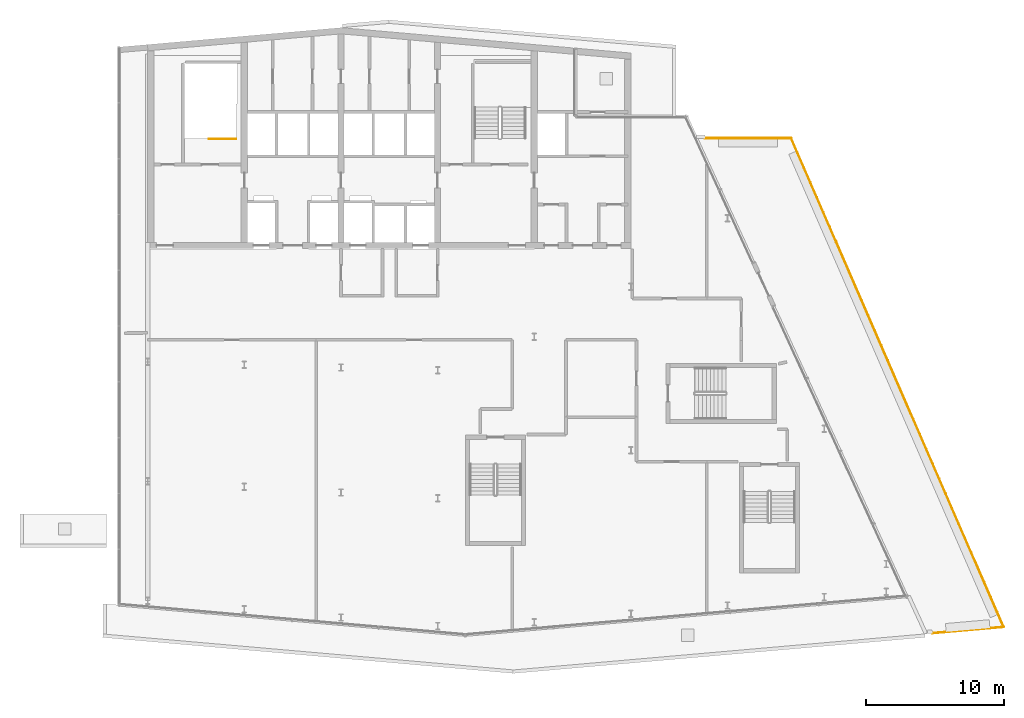
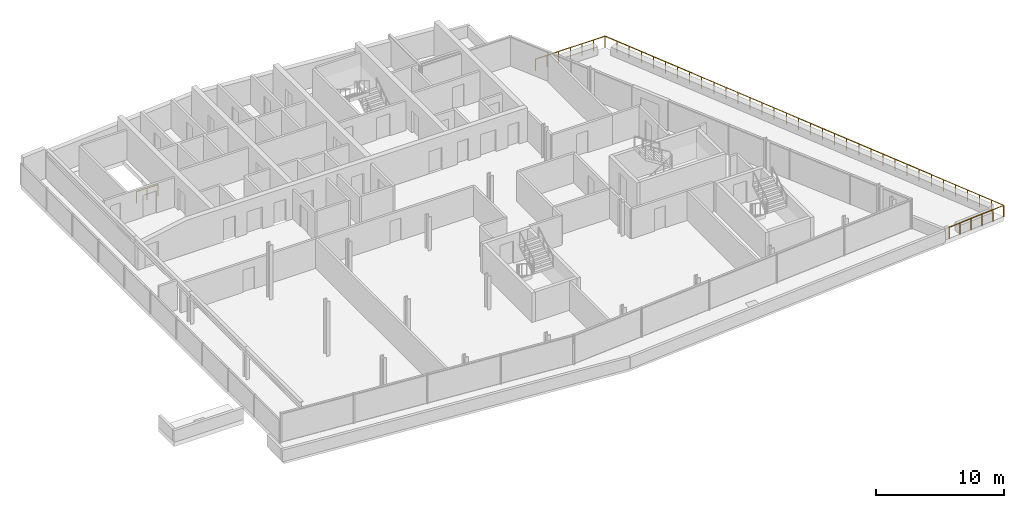
# One storey, part 16 of 17: 2 railings.
"""IFC4 building model written with IfcOpenShell, lengths in metres."""

from ifc_helpers import new_model, si_unit, direction, frame, origin, origin_2d, place, context, subcontext, project, spatial, circle, extrude, material, type_object, element, save


model = new_model("IFC4")

# Units and contexts
model_context = context("Model", 3, precision=1e-05, world=origin(), true_north=direction((0.0, 1.0)))
body_context = subcontext(model_context, "Body", "Model", "MODEL_VIEW")
ifc_project = project(units=[si_unit("LENGTHUNIT", "METRE"), si_unit("AREAUNIT", "SQUARE_METRE"), si_unit("VOLUMEUNIT", "CUBIC_METRE"), si_unit("PLANEANGLEUNIT", "RADIAN"), si_unit("MASSUNIT", "GRAM", prefix="KILO")], contexts=[model_context])

# Site, building, storey
site_placement = place(None, origin())
site = spatial("IfcSite", under=ifc_project, at=site_placement, CompositionType="ELEMENT")
building_placement = place(site_placement, origin())
building = spatial("IfcBuilding", under=site, at=building_placement, Name="Wharfspan Tower", CompositionType="ELEMENT")
storey_placement = place(building_placement, frame((0.0, 0.0, 261.100098)))
storey = spatial("IfcBuildingStorey", under=building, at=storey_placement, Name="L66", CompositionType="ELEMENT", Elevation=261.100098)

# Railings
ifc_material = material(Name="Steel S355J2", Category="steel")
railing_type_1 = type_object("IfcRailingType", Name="GUARD 1100 STEEL AND GLASS", PredefinedType="GUARDRAIL", material=ifc_material)
railing_1_placement = place(storey_placement, frame((63.35498, 42.0, 0.0)))
element("IfcRailing", 1, at=railing_1_placement, inside=storey, type_object=railing_type_1, Name="Terrace guard T4E", PredefinedType="GUARDRAIL", context=body_context, shape_type="SweptSolid", body=[
    extrude(circle(Radius=0.024902, at=origin_2d()), frame((0.0, 0.0, 1.075195), z_axis=(1.0, 0.0, 0.0), x_axis=(0.0, 1.0, 0.0)), (0.0, 0.0, 1.0), 6.253662),
    extrude(circle(Radius=0.024902, at=origin_2d()), frame((6.253662, 0.0, 1.075195), z_axis=(0.398728, -0.917069, 0.0), x_axis=(0.917069, 0.398728, 0.0)), (0.0, 0.0, 1.0), 38.601074),
    extrude(circle(Radius=0.024902, at=origin_2d()), frame((21.64502, -35.399902, 1.075195), z_axis=(-0.996192, -0.087187, 0.0), x_axis=(0.087187, -0.996192, 0.0)), (0.0, 0.0, 1.0), 5.18042),
    extrude(circle(Radius=0.02002, at=origin_2d()), origin(), (0.0, 0.0, 1.0), 1.050049),
    extrude(circle(Radius=0.02002, at=origin_2d()), frame((1.042236, 0.0, 0.0)), (0.0, 0.0, 1.0), 1.050049),
    extrude(circle(Radius=0.02002, at=origin_2d()), frame((2.084473, 0.0, 0.0)), (0.0, 0.0, 1.0), 1.050049),
    extrude(circle(Radius=0.02002, at=origin_2d()), frame((3.126953, 0.0, 0.0)), (0.0, 0.0, 1.0), 1.050049),
    extrude(circle(Radius=0.02002, at=origin_2d()), frame((4.169189, 0.0, 0.0)), (0.0, 0.0, 1.0), 1.050049),
    extrude(circle(Radius=0.02002, at=origin_2d()), frame((5.211426, 0.0, 0.0)), (0.0, 0.0, 1.0), 1.050049),
    extrude(circle(Radius=0.02002, at=origin_2d()), frame((6.253662, 0.0, 0.0)), (0.0, 0.0, 1.0), 1.050049),
    extrude(circle(Radius=0.02002, at=origin_2d()), frame((6.719971, -1.072754, 0.0)), (0.0, 0.0, 1.0), 1.050049),
    extrude(circle(Radius=0.02002, at=origin_2d()), frame((7.186523, -2.145508, 0.0)), (0.0, 0.0, 1.0), 1.050049),
    extrude(circle(Radius=0.02002, at=origin_2d()), frame((7.652832, -3.218262, 0.0)), (0.0, 0.0, 1.0), 1.050049),
    extrude(circle(Radius=0.02002, at=origin_2d()), frame((8.119385, -4.291016, 0.0)), (0.0, 0.0, 1.0), 1.050049),
    extrude(circle(Radius=0.02002, at=origin_2d()), frame((8.585693, -5.363525, 0.0)), (0.0, 0.0, 1.0), 1.050049),
    extrude(circle(Radius=0.02002, at=origin_2d()), frame((9.052002, -6.436279, 0.0)), (0.0, 0.0, 1.0), 1.050049),
    extrude(circle(Radius=0.02002, at=origin_2d()), frame((9.518555, -7.509033, 0.0)), (0.0, 0.0, 1.0), 1.050049),
    extrude(circle(Radius=0.02002, at=origin_2d()), frame((9.984863, -8.581787, 0.0)), (0.0, 0.0, 1.0), 1.050049),
    extrude(circle(Radius=0.02002, at=origin_2d()), frame((10.451416, -9.654541, 0.0)), (0.0, 0.0, 1.0), 1.050049),
    extrude(circle(Radius=0.02002, at=origin_2d()), frame((10.917725, -10.727295, 0.0)), (0.0, 0.0, 1.0), 1.050049),
    extrude(circle(Radius=0.02002, at=origin_2d()), frame((11.384033, -11.800049, 0.0)), (0.0, 0.0, 1.0), 1.050049),
    extrude(circle(Radius=0.02002, at=origin_2d()), frame((11.850586, -12.872803, 0.0)), (0.0, 0.0, 1.0), 1.050049),
    extrude(circle(Radius=0.02002, at=origin_2d()), frame((12.316895, -13.945312, 0.0)), (0.0, 0.0, 1.0), 1.050049),
    extrude(circle(Radius=0.02002, at=origin_2d()), frame((12.783447, -15.018066, 0.0)), (0.0, 0.0, 1.0), 1.050049),
    extrude(circle(Radius=0.02002, at=origin_2d()), frame((13.249756, -16.09082, 0.0)), (0.0, 0.0, 1.0), 1.050049),
    extrude(circle(Radius=0.02002, at=origin_2d()), frame((13.716064, -17.163574, 0.0)), (0.0, 0.0, 1.0), 1.050049),
    extrude(circle(Radius=0.02002, at=origin_2d()), frame((14.182617, -18.236328, 0.0)), (0.0, 0.0, 1.0), 1.050049),
    extrude(circle(Radius=0.02002, at=origin_2d()), frame((14.648926, -19.309082, 0.0)), (0.0, 0.0, 1.0), 1.050049),
    extrude(circle(Radius=0.02002, at=origin_2d()), frame((15.115234, -20.381836, 0.0)), (0.0, 0.0, 1.0), 1.050049),
    extrude(circle(Radius=0.02002, at=origin_2d()), frame((15.581787, -21.45459, 0.0)), (0.0, 0.0, 1.0), 1.050049),
    extrude(circle(Radius=0.02002, at=origin_2d()), frame((16.048096, -22.5271, 0.0)), (0.0, 0.0, 1.0), 1.050049),
    extrude(circle(Radius=0.02002, at=origin_2d()), frame((16.514648, -23.599854, 0.0)), (0.0, 0.0, 1.0), 1.050049),
    extrude(circle(Radius=0.02002, at=origin_2d()), frame((16.980957, -24.672607, 0.0)), (0.0, 0.0, 1.0), 1.050049),
    extrude(circle(Radius=0.02002, at=origin_2d()), frame((17.447266, -25.745361, 0.0)), (0.0, 0.0, 1.0), 1.050049),
    extrude(circle(Radius=0.02002, at=origin_2d()), frame((17.913818, -26.818115, 0.0)), (0.0, 0.0, 1.0), 1.050049),
    extrude(circle(Radius=0.02002, at=origin_2d()), frame((18.380127, -27.890869, 0.0)), (0.0, 0.0, 1.0), 1.050049),
    extrude(circle(Radius=0.02002, at=origin_2d()), frame((18.84668, -28.963623, 0.0)), (0.0, 0.0, 1.0), 1.050049),
    extrude(circle(Radius=0.02002, at=origin_2d()), frame((19.312988, -30.036377, 0.0)), (0.0, 0.0, 1.0), 1.050049),
    extrude(circle(Radius=0.02002, at=origin_2d()), frame((19.779297, -31.108887, 0.0)), (0.0, 0.0, 1.0), 1.050049),
    extrude(circle(Radius=0.02002, at=origin_2d()), frame((20.24585, -32.181641, 0.0)), (0.0, 0.0, 1.0), 1.050049),
    extrude(circle(Radius=0.02002, at=origin_2d()), frame((20.712158, -33.254395, 0.0)), (0.0, 0.0, 1.0), 1.050049),
    extrude(circle(Radius=0.02002, at=origin_2d()), frame((21.178711, -34.327148, 0.0)), (0.0, 0.0, 1.0), 1.050049),
    extrude(circle(Radius=0.02002, at=origin_2d()), frame((21.64502, -35.399902, 0.0)), (0.0, 0.0, 1.0), 1.050049),
    extrude(circle(Radius=0.02002, at=origin_2d()), frame((20.612793, -35.490234, 0.0)), (0.0, 0.0, 1.0), 1.050049),
    extrude(circle(Radius=0.02002, at=origin_2d()), frame((19.580811, -35.580566, 0.0)), (0.0, 0.0, 1.0), 1.050049),
    extrude(circle(Radius=0.02002, at=origin_2d()), frame((18.548584, -35.670898, 0.0)), (0.0, 0.0, 1.0), 1.050049),
    extrude(circle(Radius=0.02002, at=origin_2d()), frame((17.516602, -35.76123, 0.0)), (0.0, 0.0, 1.0), 1.050049),
    extrude(circle(Radius=0.02002, at=origin_2d()), frame((16.484375, -35.851562, 0.0)), (0.0, 0.0, 1.0), 1.050049),
])
railing_type_2 = type_object("IfcRailingType", Name="Stair guard 1100", PredefinedType="GUARDRAIL", material=ifc_material)
railing_2_placement = place(storey_placement, frame((29.399902, 41.949951, 0.0)))
element("IfcRailing", 2, at=railing_2_placement, inside=storey, type_object=railing_type_2, Name="L66 ST1 top well guard 1", PredefinedType="GUARDRAIL", context=body_context, shape_type="SweptSolid", body=[
    extrude(circle(Radius=0.023926, at=origin_2d()), frame((0.0, 0.0, 1.076172), z_axis=(-1.0, 0.0, 0.0), x_axis=(0.0, -1.0, 0.0)), (0.0, 0.0, 1.0), 1.949951),
    extrude(circle(Radius=0.020996, at=origin_2d()), origin(), (0.0, 0.0, 1.0), 1.052002),
    extrude(circle(Radius=0.020996, at=origin_2d()), frame((-0.975098, 0.0, 0.0)), (0.0, 0.0, 1.0), 1.052002),
    extrude(circle(Radius=0.020996, at=origin_2d()), frame((-1.949951, 0.0, 0.0)), (0.0, 0.0, 1.0), 1.052002),
])

save(model, "model.ifc")
